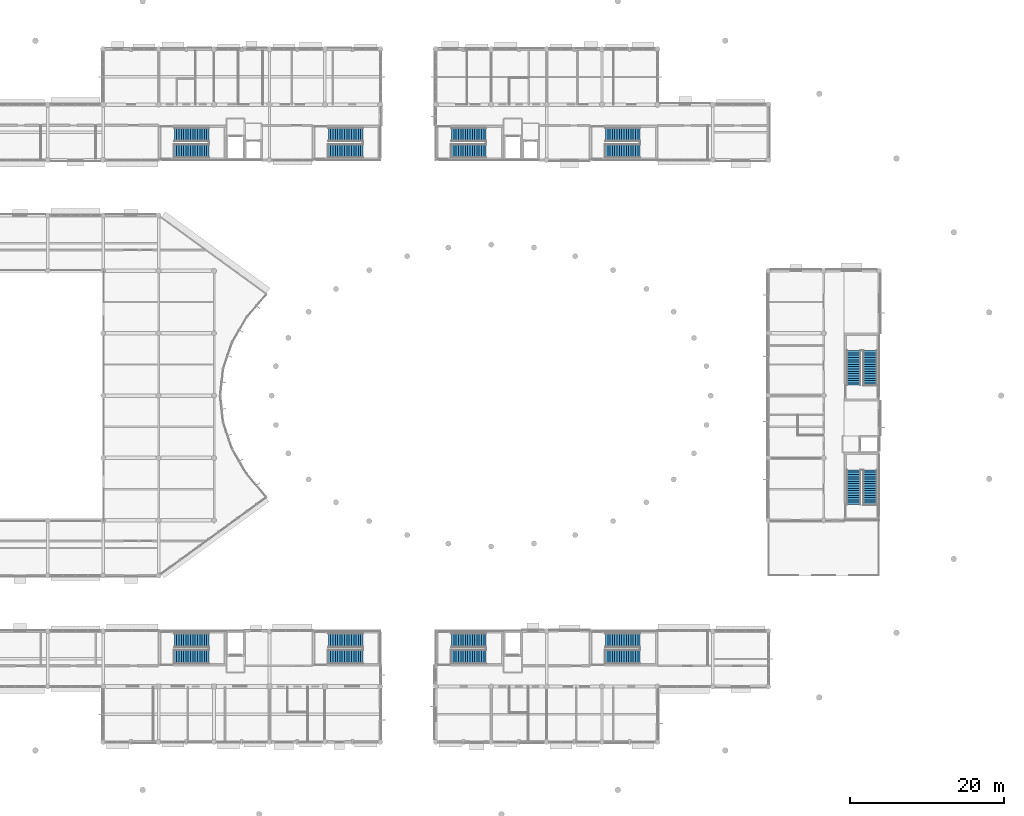
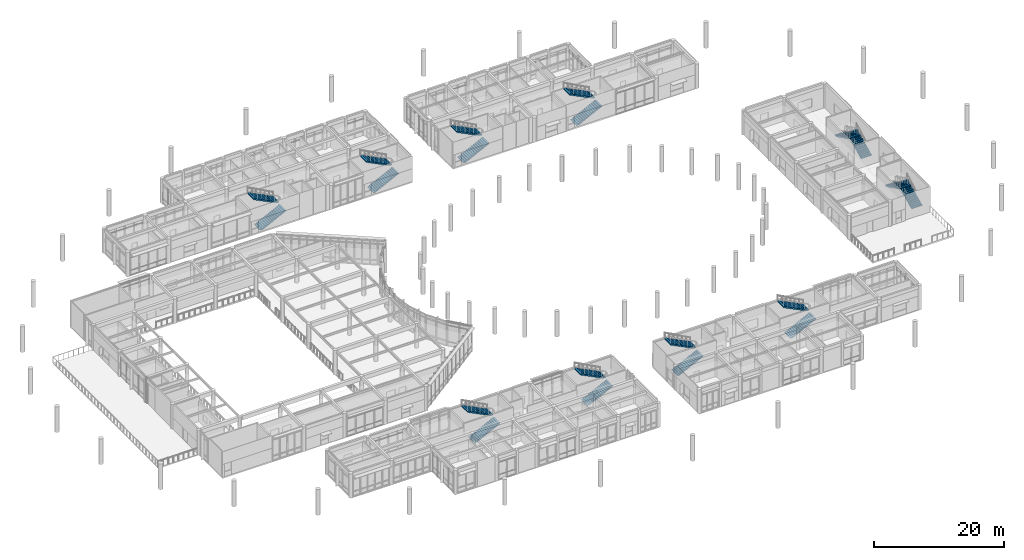
# One storey, part 55 of 92: 20 stair flights, 10 elements without a shape of their own.
"""IFC4 building model written with IfcOpenShell, lengths in metres."""

from ifc_helpers import new_model, si_unit, direction, frame, origin, place, context, subcontext, project, spatial, polyline, outline, extrude, material, type_object, element, aggregate, save


model = new_model("IFC4")

# Units and contexts
model_context = context("Model", 3, precision=1e-05, world=origin(), true_north=direction((0.0, 1.0)))
body_context = subcontext(model_context, "Body", "Model", "MODEL_VIEW")
ifc_project = project(units=[si_unit("LENGTHUNIT", "METRE"), si_unit("AREAUNIT", "SQUARE_METRE"), si_unit("VOLUMEUNIT", "CUBIC_METRE"), si_unit("PLANEANGLEUNIT", "RADIAN"), si_unit("MASSUNIT", "GRAM", prefix="KILO")], contexts=[model_context])

# Site, building, storey
site_placement = place(None, origin())
site = spatial("IfcSite", under=ifc_project, at=site_placement, CompositionType="ELEMENT")
building_placement = place(site_placement, origin())
building = spatial("IfcBuilding", under=site, at=building_placement, Name="Namkhue Oval Health Centre", CompositionType="ELEMENT")
storey_placement = place(building_placement, frame((0.0, 0.0, 4.800048828125)))
storey = spatial("IfcBuildingStorey", under=building, at=storey_placement, Name="L01", CompositionType="ELEMENT", Elevation=4.800048828125)

# Stair, stair flights
ifc_material = material(Name="Reinforced concrete C30/37 (TCVN B35)", Category="concrete")
stair_type = type_object("IfcStairType", Name="DOGLEG EXIT STAIR H4800", PredefinedType="HALF_TURN_STAIR", material=ifc_material)
stair_1_placement = place(storey_placement, origin())
stair_1 = element("IfcStair", 1, at=stair_1_placement, inside=storey, type_object=stair_type, Name="Protected Exit Stair ST-03 L01", PredefinedType="HALF_TURN_STAIR")
stair_flight_type = type_object("IfcStairFlightType", Name="STRAIGHT STAIR FLIGHT 1850", PredefinedType="STRAIGHT", material=ifc_material)
stair_flight_1_placement = place(storey_placement, frame((59.64990234375, 91.175048828125, 0.0), z_axis=(0.0, 0.0, 1.0), x_axis=(1.0, 0.0, 0.0)))
stair_flight_1 = element("IfcStairFlight", 2, at=stair_flight_1_placement, type_object=stair_flight_type, Name="ST-03 flight 1", NumberOfRisers=16, NumberOfTreads=15, PredefinedType="STRAIGHT", RiserHeight=0.15, TreadLength=0.3, context=body_context, shape_type="SweptSolid", body=[
    extrude(outline(polyline([(0.0, 0.0), (0.0, 0.14990234375), (0.300048828125, 0.14990234375), (0.300048828125, 0.300048828125), (0.60009765625, 0.300048828125), (0.60009765625, 0.449951171875), (0.89990234375, 0.449951171875), (0.89990234375, 0.60009765625), (1.199951171875, 0.60009765625), (1.199951171875, 0.75), (1.5, 0.75), (1.5, 0.89990234375), (1.800048828125, 0.89990234375), (1.800048828125, 1.050048828125), (2.10009765625, 1.050048828125), (2.10009765625, 1.199951171875), (2.39990234375, 1.199951171875), (2.39990234375, 1.35009765625), (2.699951171875, 1.35009765625), (2.699951171875, 1.5), (3.0, 1.5), (3.0, 1.64990234375), (3.300048828125, 1.64990234375), (3.300048828125, 1.800048828125), (3.60009765625, 1.800048828125), (3.60009765625, 1.949951171875), (3.89990234375, 1.949951171875), (3.89990234375, 2.10009765625), (4.199951171875, 2.10009765625), (4.199951171875, 2.25), (4.5, 2.25), (4.5, 2.39990234375), (4.5, 2.048828125), (0.40234375, 0.0), (0.0, 0.0)])), frame((0.0, 0.925048828125, 0.0), z_axis=(0.0, -1.0, 0.0), x_axis=(1.0, 0.0, 0.0)), (0.0, 0.0, 1.0), 1.85009765625),
])
stair_flight_2_placement = place(storey_placement, frame((64.14990234375, 93.324951171875, 2.39990234375), z_axis=(0.0, 0.0, 1.0), x_axis=(-1.0, 0.0, 0.0)))
stair_flight_2 = element("IfcStairFlight", 3, at=stair_flight_2_placement, type_object=stair_flight_type, Name="ST-03 flight 2", NumberOfRisers=16, NumberOfTreads=15, PredefinedType="STRAIGHT", RiserHeight=0.15, TreadLength=0.3, context=body_context, shape_type="SweptSolid", body=[
    extrude(outline(polyline([(0.0, 0.0), (0.0, 0.14990234375), (0.300048828125, 0.14990234375), (0.300048828125, 0.300048828125), (0.60009765625, 0.300048828125), (0.60009765625, 0.449951171875), (0.89990234375, 0.449951171875), (0.89990234375, 0.60009765625), (1.199951171875, 0.60009765625), (1.199951171875, 0.75), (1.5, 0.75), (1.5, 0.89990234375), (1.800048828125, 0.89990234375), (1.800048828125, 1.050048828125), (2.10009765625, 1.050048828125), (2.10009765625, 1.199951171875), (2.39990234375, 1.199951171875), (2.39990234375, 1.35009765625), (2.699951171875, 1.35009765625), (2.699951171875, 1.5), (3.0, 1.5), (3.0, 1.64990234375), (3.300048828125, 1.64990234375), (3.300048828125, 1.800048828125), (3.60009765625, 1.800048828125), (3.60009765625, 1.949951171875), (3.89990234375, 1.949951171875), (3.89990234375, 2.10009765625), (4.199951171875, 2.10009765625), (4.199951171875, 2.25), (4.5, 2.25), (4.5, 2.39990234375), (4.5, 2.048828125), (0.40234375, 0.0), (0.0, 0.0)])), frame((0.0, 0.925048828125, 0.0), z_axis=(0.0, -1.0, 0.0), x_axis=(1.0, 0.0, 0.0)), (0.0, 0.0, 1.0), 1.85009765625),
])
aggregate(stair_1, [stair_flight_1, stair_flight_2])

stair_2_placement = place(storey_placement, origin())
stair_2 = element("IfcStair", 4, at=stair_2_placement, inside=storey, type_object=stair_type, Name="Protected Exit Stair ST-04 L01", PredefinedType="HALF_TURN_STAIR")
stair_flight_3_placement = place(storey_placement, frame((79.64990234375, 91.175048828125, 0.0), z_axis=(0.0, 0.0, 1.0), x_axis=(1.0, 0.0, 0.0)))
stair_flight_3 = element("IfcStairFlight", 5, at=stair_flight_3_placement, type_object=stair_flight_type, Name="ST-04 flight 1", NumberOfRisers=16, NumberOfTreads=15, PredefinedType="STRAIGHT", RiserHeight=0.15, TreadLength=0.3, context=body_context, shape_type="SweptSolid", body=[
    extrude(outline(polyline([(0.0, 0.0), (0.0, 0.14990234375), (0.300048828125, 0.14990234375), (0.300048828125, 0.300048828125), (0.60009765625, 0.300048828125), (0.60009765625, 0.449951171875), (0.89990234375, 0.449951171875), (0.89990234375, 0.60009765625), (1.199951171875, 0.60009765625), (1.199951171875, 0.75), (1.5, 0.75), (1.5, 0.89990234375), (1.800048828125, 0.89990234375), (1.800048828125, 1.050048828125), (2.10009765625, 1.050048828125), (2.10009765625, 1.199951171875), (2.39990234375, 1.199951171875), (2.39990234375, 1.35009765625), (2.699951171875, 1.35009765625), (2.699951171875, 1.5), (3.0, 1.5), (3.0, 1.64990234375), (3.300048828125, 1.64990234375), (3.300048828125, 1.800048828125), (3.60009765625, 1.800048828125), (3.60009765625, 1.949951171875), (3.89990234375, 1.949951171875), (3.89990234375, 2.10009765625), (4.199951171875, 2.10009765625), (4.199951171875, 2.25), (4.5, 2.25), (4.5, 2.39990234375), (4.5, 2.048828125), (0.40234375, 0.0), (0.0, 0.0)])), frame((0.0, 0.925048828125, 0.0), z_axis=(0.0, -1.0, 0.0), x_axis=(1.0, 0.0, 0.0)), (0.0, 0.0, 1.0), 1.85009765625),
])
stair_flight_4_placement = place(storey_placement, frame((84.14990234375, 93.324951171875, 2.39990234375), z_axis=(0.0, 0.0, 1.0), x_axis=(-1.0, 0.0, 0.0)))
stair_flight_4 = element("IfcStairFlight", 6, at=stair_flight_4_placement, type_object=stair_flight_type, Name="ST-04 flight 2", NumberOfRisers=16, NumberOfTreads=15, PredefinedType="STRAIGHT", RiserHeight=0.15, TreadLength=0.3, context=body_context, shape_type="SweptSolid", body=[
    extrude(outline(polyline([(0.0, 0.0), (0.0, 0.14990234375), (0.300048828125, 0.14990234375), (0.300048828125, 0.300048828125), (0.60009765625, 0.300048828125), (0.60009765625, 0.449951171875), (0.89990234375, 0.449951171875), (0.89990234375, 0.60009765625), (1.199951171875, 0.60009765625), (1.199951171875, 0.75), (1.5, 0.75), (1.5, 0.89990234375), (1.800048828125, 0.89990234375), (1.800048828125, 1.050048828125), (2.10009765625, 1.050048828125), (2.10009765625, 1.199951171875), (2.39990234375, 1.199951171875), (2.39990234375, 1.35009765625), (2.699951171875, 1.35009765625), (2.699951171875, 1.5), (3.0, 1.5), (3.0, 1.64990234375), (3.300048828125, 1.64990234375), (3.300048828125, 1.800048828125), (3.60009765625, 1.800048828125), (3.60009765625, 1.949951171875), (3.89990234375, 1.949951171875), (3.89990234375, 2.10009765625), (4.199951171875, 2.10009765625), (4.199951171875, 2.25), (4.5, 2.25), (4.5, 2.39990234375), (4.5, 2.048828125), (0.40234375, 0.0), (0.0, 0.0)])), frame((0.0, 0.925048828125, 0.0), z_axis=(0.0, -1.0, 0.0), x_axis=(1.0, 0.0, 0.0)), (0.0, 0.0, 1.0), 1.85009765625),
])
aggregate(stair_2, [stair_flight_3, stair_flight_4])

stair_3_placement = place(storey_placement, origin())
stair_3 = element("IfcStair", 7, at=stair_3_placement, inside=storey, type_object=stair_type, Name="Protected Exit Stair ST-05 L01", PredefinedType="HALF_TURN_STAIR")
stair_flight_5_placement = place(storey_placement, frame((95.64990234375, 91.175048828125, 0.0), z_axis=(0.0, 0.0, 1.0), x_axis=(1.0, 0.0, 0.0)))
stair_flight_5 = element("IfcStairFlight", 8, at=stair_flight_5_placement, type_object=stair_flight_type, Name="ST-05 flight 1", NumberOfRisers=16, NumberOfTreads=15, PredefinedType="STRAIGHT", RiserHeight=0.15, TreadLength=0.3, context=body_context, shape_type="SweptSolid", body=[
    extrude(outline(polyline([(0.0, 0.0), (0.0, 0.14990234375), (0.300048828125, 0.14990234375), (0.300048828125, 0.300048828125), (0.60009765625, 0.300048828125), (0.60009765625, 0.449951171875), (0.89990234375, 0.449951171875), (0.89990234375, 0.60009765625), (1.199951171875, 0.60009765625), (1.199951171875, 0.75), (1.5, 0.75), (1.5, 0.89990234375), (1.800048828125, 0.89990234375), (1.800048828125, 1.050048828125), (2.10009765625, 1.050048828125), (2.10009765625, 1.199951171875), (2.39990234375, 1.199951171875), (2.39990234375, 1.35009765625), (2.699951171875, 1.35009765625), (2.699951171875, 1.5), (3.0, 1.5), (3.0, 1.64990234375), (3.300048828125, 1.64990234375), (3.300048828125, 1.800048828125), (3.60009765625, 1.800048828125), (3.60009765625, 1.949951171875), (3.89990234375, 1.949951171875), (3.89990234375, 2.10009765625), (4.199951171875, 2.10009765625), (4.199951171875, 2.25), (4.5, 2.25), (4.5, 2.39990234375), (4.5, 2.048828125), (0.40234375, 0.0), (0.0, 0.0)])), frame((0.0, 0.925048828125, 0.0), z_axis=(0.0, -1.0, 0.0), x_axis=(1.0, 0.0, 0.0)), (0.0, 0.0, 1.0), 1.85009765625),
])
stair_flight_6_placement = place(storey_placement, frame((100.14990234375, 93.324951171875, 2.39990234375), z_axis=(0.0, 0.0, 1.0), x_axis=(-1.0, 0.0, 0.0)))
stair_flight_6 = element("IfcStairFlight", 9, at=stair_flight_6_placement, type_object=stair_flight_type, Name="ST-05 flight 2", NumberOfRisers=16, NumberOfTreads=15, PredefinedType="STRAIGHT", RiserHeight=0.15, TreadLength=0.3, context=body_context, shape_type="SweptSolid", body=[
    extrude(outline(polyline([(0.0, 0.0), (0.0, 0.14990234375), (0.300048828125, 0.14990234375), (0.300048828125, 0.300048828125), (0.60009765625, 0.300048828125), (0.60009765625, 0.449951171875), (0.89990234375, 0.449951171875), (0.89990234375, 0.60009765625), (1.199951171875, 0.60009765625), (1.199951171875, 0.75), (1.5, 0.75), (1.5, 0.89990234375), (1.800048828125, 0.89990234375), (1.800048828125, 1.050048828125), (2.10009765625, 1.050048828125), (2.10009765625, 1.199951171875), (2.39990234375, 1.199951171875), (2.39990234375, 1.35009765625), (2.699951171875, 1.35009765625), (2.699951171875, 1.5), (3.0, 1.5), (3.0, 1.64990234375), (3.300048828125, 1.64990234375), (3.300048828125, 1.800048828125), (3.60009765625, 1.800048828125), (3.60009765625, 1.949951171875), (3.89990234375, 1.949951171875), (3.89990234375, 2.10009765625), (4.199951171875, 2.10009765625), (4.199951171875, 2.25), (4.5, 2.25), (4.5, 2.39990234375), (4.5, 2.048828125), (0.40234375, 0.0), (0.0, 0.0)])), frame((0.0, 0.925048828125, 0.0), z_axis=(0.0, -1.0, 0.0), x_axis=(1.0, 0.0, 0.0)), (0.0, 0.0, 1.0), 1.85009765625),
])
aggregate(stair_3, [stair_flight_5, stair_flight_6])

stair_4_placement = place(storey_placement, origin())
stair_4 = element("IfcStair", 10, at=stair_4_placement, inside=storey, type_object=stair_type, Name="Protected Exit Stair ST-06 L01", PredefinedType="HALF_TURN_STAIR")
stair_flight_7_placement = place(storey_placement, frame((115.64990234375, 91.175048828125, 0.0), z_axis=(0.0, 0.0, 1.0), x_axis=(1.0, 0.0, 0.0)))
stair_flight_7 = element("IfcStairFlight", 11, at=stair_flight_7_placement, type_object=stair_flight_type, Name="ST-06 flight 1", NumberOfRisers=16, NumberOfTreads=15, PredefinedType="STRAIGHT", RiserHeight=0.15, TreadLength=0.3, context=body_context, shape_type="SweptSolid", body=[
    extrude(outline(polyline([(0.0, 0.0), (0.0, 0.14990234375), (0.300048828125, 0.14990234375), (0.300048828125, 0.300048828125), (0.60009765625, 0.300048828125), (0.60009765625, 0.449951171875), (0.89990234375, 0.449951171875), (0.89990234375, 0.60009765625), (1.199951171875, 0.60009765625), (1.199951171875, 0.75), (1.5, 0.75), (1.5, 0.89990234375), (1.800048828125, 0.89990234375), (1.800048828125, 1.050048828125), (2.10009765625, 1.050048828125), (2.10009765625, 1.199951171875), (2.39990234375, 1.199951171875), (2.39990234375, 1.35009765625), (2.699951171875, 1.35009765625), (2.699951171875, 1.5), (3.0, 1.5), (3.0, 1.64990234375), (3.300048828125, 1.64990234375), (3.300048828125, 1.800048828125), (3.60009765625, 1.800048828125), (3.60009765625, 1.949951171875), (3.89990234375, 1.949951171875), (3.89990234375, 2.10009765625), (4.199951171875, 2.10009765625), (4.199951171875, 2.25), (4.5, 2.25), (4.5, 2.39990234375), (4.5, 2.048828125), (0.40234375, 0.0), (0.0, 0.0)])), frame((0.0, 0.925048828125, 0.0), z_axis=(0.0, -1.0, 0.0), x_axis=(1.0, 0.0, 0.0)), (0.0, 0.0, 1.0), 1.85009765625),
])
stair_flight_8_placement = place(storey_placement, frame((120.14990234375, 93.324951171875, 2.39990234375), z_axis=(0.0, 0.0, 1.0), x_axis=(-1.0, 0.0, 0.0)))
stair_flight_8 = element("IfcStairFlight", 12, at=stair_flight_8_placement, type_object=stair_flight_type, Name="ST-06 flight 2", NumberOfRisers=16, NumberOfTreads=15, PredefinedType="STRAIGHT", RiserHeight=0.15, TreadLength=0.3, context=body_context, shape_type="SweptSolid", body=[
    extrude(outline(polyline([(0.0, 0.0), (0.0, 0.14990234375), (0.300048828125, 0.14990234375), (0.300048828125, 0.300048828125), (0.60009765625, 0.300048828125), (0.60009765625, 0.449951171875), (0.89990234375, 0.449951171875), (0.89990234375, 0.60009765625), (1.199951171875, 0.60009765625), (1.199951171875, 0.75), (1.5, 0.75), (1.5, 0.89990234375), (1.800048828125, 0.89990234375), (1.800048828125, 1.050048828125), (2.10009765625, 1.050048828125), (2.10009765625, 1.199951171875), (2.39990234375, 1.199951171875), (2.39990234375, 1.35009765625), (2.699951171875, 1.35009765625), (2.699951171875, 1.5), (3.0, 1.5), (3.0, 1.64990234375), (3.300048828125, 1.64990234375), (3.300048828125, 1.800048828125), (3.60009765625, 1.800048828125), (3.60009765625, 1.949951171875), (3.89990234375, 1.949951171875), (3.89990234375, 2.10009765625), (4.199951171875, 2.10009765625), (4.199951171875, 2.25), (4.5, 2.25), (4.5, 2.39990234375), (4.5, 2.048828125), (0.40234375, 0.0), (0.0, 0.0)])), frame((0.0, 0.925048828125, 0.0), z_axis=(0.0, -1.0, 0.0), x_axis=(1.0, 0.0, 0.0)), (0.0, 0.0, 1.0), 1.85009765625),
])
aggregate(stair_4, [stair_flight_7, stair_flight_8])

stair_5_placement = place(storey_placement, origin())
stair_5 = element("IfcStair", 13, at=stair_5_placement, inside=storey, type_object=stair_type, Name="Protected Exit Stair ST-07 L01", PredefinedType="HALF_TURN_STAIR")
stair_flight_9_placement = place(storey_placement, frame((59.64990234375, 25.47509765625, 0.0), z_axis=(0.0, 0.0, 1.0), x_axis=(1.0, 0.0, 0.0)))
stair_flight_9 = element("IfcStairFlight", 14, at=stair_flight_9_placement, type_object=stair_flight_type, Name="ST-07 flight 1", NumberOfRisers=16, NumberOfTreads=15, PredefinedType="STRAIGHT", RiserHeight=0.15, TreadLength=0.3, context=body_context, shape_type="SweptSolid", body=[
    extrude(outline(polyline([(0.0, 0.0), (0.0, 0.14990234375), (0.300048828125, 0.14990234375), (0.300048828125, 0.300048828125), (0.60009765625, 0.300048828125), (0.60009765625, 0.449951171875), (0.89990234375, 0.449951171875), (0.89990234375, 0.60009765625), (1.199951171875, 0.60009765625), (1.199951171875, 0.75), (1.5, 0.75), (1.5, 0.89990234375), (1.800048828125, 0.89990234375), (1.800048828125, 1.050048828125), (2.10009765625, 1.050048828125), (2.10009765625, 1.199951171875), (2.39990234375, 1.199951171875), (2.39990234375, 1.35009765625), (2.699951171875, 1.35009765625), (2.699951171875, 1.5), (3.0, 1.5), (3.0, 1.64990234375), (3.300048828125, 1.64990234375), (3.300048828125, 1.800048828125), (3.60009765625, 1.800048828125), (3.60009765625, 1.949951171875), (3.89990234375, 1.949951171875), (3.89990234375, 2.10009765625), (4.199951171875, 2.10009765625), (4.199951171875, 2.25), (4.5, 2.25), (4.5, 2.39990234375), (4.5, 2.048828125), (0.40234375, 0.0), (0.0, 0.0)])), frame((0.0, 0.925048828125, 0.0), z_axis=(0.0, -1.0, 0.0), x_axis=(1.0, 0.0, 0.0)), (0.0, 0.0, 1.0), 1.85009765625),
])
stair_flight_10_placement = place(storey_placement, frame((64.14990234375, 27.625, 2.39990234375), z_axis=(0.0, 0.0, 1.0), x_axis=(-1.0, 0.0, 0.0)))
stair_flight_10 = element("IfcStairFlight", 15, at=stair_flight_10_placement, type_object=stair_flight_type, Name="ST-07 flight 2", NumberOfRisers=16, NumberOfTreads=15, PredefinedType="STRAIGHT", RiserHeight=0.15, TreadLength=0.3, context=body_context, shape_type="SweptSolid", body=[
    extrude(outline(polyline([(0.0, 0.0), (0.0, 0.14990234375), (0.300048828125, 0.14990234375), (0.300048828125, 0.300048828125), (0.60009765625, 0.300048828125), (0.60009765625, 0.449951171875), (0.89990234375, 0.449951171875), (0.89990234375, 0.60009765625), (1.199951171875, 0.60009765625), (1.199951171875, 0.75), (1.5, 0.75), (1.5, 0.89990234375), (1.800048828125, 0.89990234375), (1.800048828125, 1.050048828125), (2.10009765625, 1.050048828125), (2.10009765625, 1.199951171875), (2.39990234375, 1.199951171875), (2.39990234375, 1.35009765625), (2.699951171875, 1.35009765625), (2.699951171875, 1.5), (3.0, 1.5), (3.0, 1.64990234375), (3.300048828125, 1.64990234375), (3.300048828125, 1.800048828125), (3.60009765625, 1.800048828125), (3.60009765625, 1.949951171875), (3.89990234375, 1.949951171875), (3.89990234375, 2.10009765625), (4.199951171875, 2.10009765625), (4.199951171875, 2.25), (4.5, 2.25), (4.5, 2.39990234375), (4.5, 2.048828125), (0.40234375, 0.0), (0.0, 0.0)])), frame((0.0, 0.925048828125, 0.0), z_axis=(0.0, -1.0, 0.0), x_axis=(1.0, 0.0, 0.0)), (0.0, 0.0, 1.0), 1.85009765625),
])
aggregate(stair_5, [stair_flight_9, stair_flight_10])

stair_6_placement = place(storey_placement, origin())
stair_6 = element("IfcStair", 16, at=stair_6_placement, inside=storey, type_object=stair_type, Name="Protected Exit Stair ST-08 L01", PredefinedType="HALF_TURN_STAIR")
stair_flight_11_placement = place(storey_placement, frame((79.64990234375, 25.47509765625, 0.0), z_axis=(0.0, 0.0, 1.0), x_axis=(1.0, 0.0, 0.0)))
stair_flight_11 = element("IfcStairFlight", 17, at=stair_flight_11_placement, type_object=stair_flight_type, Name="ST-08 flight 1", NumberOfRisers=16, NumberOfTreads=15, PredefinedType="STRAIGHT", RiserHeight=0.15, TreadLength=0.3, context=body_context, shape_type="SweptSolid", body=[
    extrude(outline(polyline([(0.0, 0.0), (0.0, 0.14990234375), (0.300048828125, 0.14990234375), (0.300048828125, 0.300048828125), (0.60009765625, 0.300048828125), (0.60009765625, 0.449951171875), (0.89990234375, 0.449951171875), (0.89990234375, 0.60009765625), (1.199951171875, 0.60009765625), (1.199951171875, 0.75), (1.5, 0.75), (1.5, 0.89990234375), (1.800048828125, 0.89990234375), (1.800048828125, 1.050048828125), (2.10009765625, 1.050048828125), (2.10009765625, 1.199951171875), (2.39990234375, 1.199951171875), (2.39990234375, 1.35009765625), (2.699951171875, 1.35009765625), (2.699951171875, 1.5), (3.0, 1.5), (3.0, 1.64990234375), (3.300048828125, 1.64990234375), (3.300048828125, 1.800048828125), (3.60009765625, 1.800048828125), (3.60009765625, 1.949951171875), (3.89990234375, 1.949951171875), (3.89990234375, 2.10009765625), (4.199951171875, 2.10009765625), (4.199951171875, 2.25), (4.5, 2.25), (4.5, 2.39990234375), (4.5, 2.048828125), (0.40234375, 0.0), (0.0, 0.0)])), frame((0.0, 0.925048828125, 0.0), z_axis=(0.0, -1.0, 0.0), x_axis=(1.0, 0.0, 0.0)), (0.0, 0.0, 1.0), 1.85009765625),
])
stair_flight_12_placement = place(storey_placement, frame((84.14990234375, 27.625, 2.39990234375), z_axis=(0.0, 0.0, 1.0), x_axis=(-1.0, 0.0, 0.0)))
stair_flight_12 = element("IfcStairFlight", 18, at=stair_flight_12_placement, type_object=stair_flight_type, Name="ST-08 flight 2", NumberOfRisers=16, NumberOfTreads=15, PredefinedType="STRAIGHT", RiserHeight=0.15, TreadLength=0.3, context=body_context, shape_type="SweptSolid", body=[
    extrude(outline(polyline([(0.0, 0.0), (0.0, 0.14990234375), (0.300048828125, 0.14990234375), (0.300048828125, 0.300048828125), (0.60009765625, 0.300048828125), (0.60009765625, 0.449951171875), (0.89990234375, 0.449951171875), (0.89990234375, 0.60009765625), (1.199951171875, 0.60009765625), (1.199951171875, 0.75), (1.5, 0.75), (1.5, 0.89990234375), (1.800048828125, 0.89990234375), (1.800048828125, 1.050048828125), (2.10009765625, 1.050048828125), (2.10009765625, 1.199951171875), (2.39990234375, 1.199951171875), (2.39990234375, 1.35009765625), (2.699951171875, 1.35009765625), (2.699951171875, 1.5), (3.0, 1.5), (3.0, 1.64990234375), (3.300048828125, 1.64990234375), (3.300048828125, 1.800048828125), (3.60009765625, 1.800048828125), (3.60009765625, 1.949951171875), (3.89990234375, 1.949951171875), (3.89990234375, 2.10009765625), (4.199951171875, 2.10009765625), (4.199951171875, 2.25), (4.5, 2.25), (4.5, 2.39990234375), (4.5, 2.048828125), (0.40234375, 0.0), (0.0, 0.0)])), frame((0.0, 0.925048828125, 0.0), z_axis=(0.0, -1.0, 0.0), x_axis=(1.0, 0.0, 0.0)), (0.0, 0.0, 1.0), 1.85009765625),
])
aggregate(stair_6, [stair_flight_11, stair_flight_12])

stair_7_placement = place(storey_placement, origin())
stair_7 = element("IfcStair", 19, at=stair_7_placement, inside=storey, type_object=stair_type, Name="Protected Exit Stair ST-09 L01", PredefinedType="HALF_TURN_STAIR")
stair_flight_13_placement = place(storey_placement, frame((95.64990234375, 25.47509765625, 0.0), z_axis=(0.0, 0.0, 1.0), x_axis=(1.0, 0.0, 0.0)))
stair_flight_13 = element("IfcStairFlight", 20, at=stair_flight_13_placement, type_object=stair_flight_type, Name="ST-09 flight 1", NumberOfRisers=16, NumberOfTreads=15, PredefinedType="STRAIGHT", RiserHeight=0.15, TreadLength=0.3, context=body_context, shape_type="SweptSolid", body=[
    extrude(outline(polyline([(0.0, 0.0), (0.0, 0.14990234375), (0.300048828125, 0.14990234375), (0.300048828125, 0.300048828125), (0.60009765625, 0.300048828125), (0.60009765625, 0.449951171875), (0.89990234375, 0.449951171875), (0.89990234375, 0.60009765625), (1.199951171875, 0.60009765625), (1.199951171875, 0.75), (1.5, 0.75), (1.5, 0.89990234375), (1.800048828125, 0.89990234375), (1.800048828125, 1.050048828125), (2.10009765625, 1.050048828125), (2.10009765625, 1.199951171875), (2.39990234375, 1.199951171875), (2.39990234375, 1.35009765625), (2.699951171875, 1.35009765625), (2.699951171875, 1.5), (3.0, 1.5), (3.0, 1.64990234375), (3.300048828125, 1.64990234375), (3.300048828125, 1.800048828125), (3.60009765625, 1.800048828125), (3.60009765625, 1.949951171875), (3.89990234375, 1.949951171875), (3.89990234375, 2.10009765625), (4.199951171875, 2.10009765625), (4.199951171875, 2.25), (4.5, 2.25), (4.5, 2.39990234375), (4.5, 2.048828125), (0.40234375, 0.0), (0.0, 0.0)])), frame((0.0, 0.925048828125, 0.0), z_axis=(0.0, -1.0, 0.0), x_axis=(1.0, 0.0, 0.0)), (0.0, 0.0, 1.0), 1.85009765625),
])
stair_flight_14_placement = place(storey_placement, frame((100.14990234375, 27.625, 2.39990234375), z_axis=(0.0, 0.0, 1.0), x_axis=(-1.0, 0.0, 0.0)))
stair_flight_14 = element("IfcStairFlight", 21, at=stair_flight_14_placement, type_object=stair_flight_type, Name="ST-09 flight 2", NumberOfRisers=16, NumberOfTreads=15, PredefinedType="STRAIGHT", RiserHeight=0.15, TreadLength=0.3, context=body_context, shape_type="SweptSolid", body=[
    extrude(outline(polyline([(0.0, 0.0), (0.0, 0.14990234375), (0.300048828125, 0.14990234375), (0.300048828125, 0.300048828125), (0.60009765625, 0.300048828125), (0.60009765625, 0.449951171875), (0.89990234375, 0.449951171875), (0.89990234375, 0.60009765625), (1.199951171875, 0.60009765625), (1.199951171875, 0.75), (1.5, 0.75), (1.5, 0.89990234375), (1.800048828125, 0.89990234375), (1.800048828125, 1.050048828125), (2.10009765625, 1.050048828125), (2.10009765625, 1.199951171875), (2.39990234375, 1.199951171875), (2.39990234375, 1.35009765625), (2.699951171875, 1.35009765625), (2.699951171875, 1.5), (3.0, 1.5), (3.0, 1.64990234375), (3.300048828125, 1.64990234375), (3.300048828125, 1.800048828125), (3.60009765625, 1.800048828125), (3.60009765625, 1.949951171875), (3.89990234375, 1.949951171875), (3.89990234375, 2.10009765625), (4.199951171875, 2.10009765625), (4.199951171875, 2.25), (4.5, 2.25), (4.5, 2.39990234375), (4.5, 2.048828125), (0.40234375, 0.0), (0.0, 0.0)])), frame((0.0, 0.925048828125, 0.0), z_axis=(0.0, -1.0, 0.0), x_axis=(1.0, 0.0, 0.0)), (0.0, 0.0, 1.0), 1.85009765625),
])
aggregate(stair_7, [stair_flight_13, stair_flight_14])

stair_8_placement = place(storey_placement, origin())
stair_8 = element("IfcStair", 22, at=stair_8_placement, inside=storey, type_object=stair_type, Name="Protected Exit Stair ST-10 L01", PredefinedType="HALF_TURN_STAIR")
stair_flight_15_placement = place(storey_placement, frame((115.64990234375, 25.47509765625, 0.0), z_axis=(0.0, 0.0, 1.0), x_axis=(1.0, 0.0, 0.0)))
stair_flight_15 = element("IfcStairFlight", 23, at=stair_flight_15_placement, type_object=stair_flight_type, Name="ST-10 flight 1", NumberOfRisers=16, NumberOfTreads=15, PredefinedType="STRAIGHT", RiserHeight=0.15, TreadLength=0.3, context=body_context, shape_type="SweptSolid", body=[
    extrude(outline(polyline([(0.0, 0.0), (0.0, 0.14990234375), (0.300048828125, 0.14990234375), (0.300048828125, 0.300048828125), (0.60009765625, 0.300048828125), (0.60009765625, 0.449951171875), (0.89990234375, 0.449951171875), (0.89990234375, 0.60009765625), (1.199951171875, 0.60009765625), (1.199951171875, 0.75), (1.5, 0.75), (1.5, 0.89990234375), (1.800048828125, 0.89990234375), (1.800048828125, 1.050048828125), (2.10009765625, 1.050048828125), (2.10009765625, 1.199951171875), (2.39990234375, 1.199951171875), (2.39990234375, 1.35009765625), (2.699951171875, 1.35009765625), (2.699951171875, 1.5), (3.0, 1.5), (3.0, 1.64990234375), (3.300048828125, 1.64990234375), (3.300048828125, 1.800048828125), (3.60009765625, 1.800048828125), (3.60009765625, 1.949951171875), (3.89990234375, 1.949951171875), (3.89990234375, 2.10009765625), (4.199951171875, 2.10009765625), (4.199951171875, 2.25), (4.5, 2.25), (4.5, 2.39990234375), (4.5, 2.048828125), (0.40234375, 0.0), (0.0, 0.0)])), frame((0.0, 0.925048828125, 0.0), z_axis=(0.0, -1.0, 0.0), x_axis=(1.0, 0.0, 0.0)), (0.0, 0.0, 1.0), 1.85009765625),
])
stair_flight_16_placement = place(storey_placement, frame((120.14990234375, 27.625, 2.39990234375), z_axis=(0.0, 0.0, 1.0), x_axis=(-1.0, 0.0, 0.0)))
stair_flight_16 = element("IfcStairFlight", 24, at=stair_flight_16_placement, type_object=stair_flight_type, Name="ST-10 flight 2", NumberOfRisers=16, NumberOfTreads=15, PredefinedType="STRAIGHT", RiserHeight=0.15, TreadLength=0.3, context=body_context, shape_type="SweptSolid", body=[
    extrude(outline(polyline([(0.0, 0.0), (0.0, 0.14990234375), (0.300048828125, 0.14990234375), (0.300048828125, 0.300048828125), (0.60009765625, 0.300048828125), (0.60009765625, 0.449951171875), (0.89990234375, 0.449951171875), (0.89990234375, 0.60009765625), (1.199951171875, 0.60009765625), (1.199951171875, 0.75), (1.5, 0.75), (1.5, 0.89990234375), (1.800048828125, 0.89990234375), (1.800048828125, 1.050048828125), (2.10009765625, 1.050048828125), (2.10009765625, 1.199951171875), (2.39990234375, 1.199951171875), (2.39990234375, 1.35009765625), (2.699951171875, 1.35009765625), (2.699951171875, 1.5), (3.0, 1.5), (3.0, 1.64990234375), (3.300048828125, 1.64990234375), (3.300048828125, 1.800048828125), (3.60009765625, 1.800048828125), (3.60009765625, 1.949951171875), (3.89990234375, 1.949951171875), (3.89990234375, 2.10009765625), (4.199951171875, 2.10009765625), (4.199951171875, 2.25), (4.5, 2.25), (4.5, 2.39990234375), (4.5, 2.048828125), (0.40234375, 0.0), (0.0, 0.0)])), frame((0.0, 0.925048828125, 0.0), z_axis=(0.0, -1.0, 0.0), x_axis=(1.0, 0.0, 0.0)), (0.0, 0.0, 1.0), 1.85009765625),
])
aggregate(stair_8, [stair_flight_15, stair_flight_16])

stair_9_placement = place(storey_placement, origin())
stair_9 = element("IfcStair", 25, at=stair_9_placement, inside=storey, type_object=stair_type, Name="Protected Exit Stair ST-11 L01", PredefinedType="HALF_TURN_STAIR")
stair_flight_17_placement = place(storey_placement, frame((150.02490234375, 45.25, 0.0), z_axis=(0.0, 0.0, 1.0), x_axis=(0.0, 1.0, 0.0)))
stair_flight_17 = element("IfcStairFlight", 26, at=stair_flight_17_placement, type_object=stair_flight_type, Name="ST-11 flight 1", NumberOfRisers=16, NumberOfTreads=15, PredefinedType="STRAIGHT", RiserHeight=0.15, TreadLength=0.3, context=body_context, shape_type="SweptSolid", body=[
    extrude(outline(polyline([(0.0, 0.0), (0.0, 0.14990234375), (0.300048828125, 0.14990234375), (0.300048828125, 0.300048828125), (0.60009765625, 0.300048828125), (0.60009765625, 0.449951171875), (0.89990234375, 0.449951171875), (0.89990234375, 0.60009765625), (1.199951171875, 0.60009765625), (1.199951171875, 0.75), (1.5, 0.75), (1.5, 0.89990234375), (1.800048828125, 0.89990234375), (1.800048828125, 1.050048828125), (2.10009765625, 1.050048828125), (2.10009765625, 1.199951171875), (2.39990234375, 1.199951171875), (2.39990234375, 1.35009765625), (2.699951171875, 1.35009765625), (2.699951171875, 1.5), (3.0, 1.5), (3.0, 1.64990234375), (3.300048828125, 1.64990234375), (3.300048828125, 1.800048828125), (3.60009765625, 1.800048828125), (3.60009765625, 1.949951171875), (3.89990234375, 1.949951171875), (3.89990234375, 2.10009765625), (4.199951171875, 2.10009765625), (4.199951171875, 2.25), (4.5, 2.25), (4.5, 2.39990234375), (4.5, 2.048828125), (0.40234375, 0.0), (0.0, 0.0)])), frame((0.0, 0.925048828125, 0.0), z_axis=(0.0, -1.0, 0.0), x_axis=(1.0, 0.0, 0.0)), (0.0, 0.0, 1.0), 1.85009765625),
])
stair_flight_18_placement = place(storey_placement, frame((147.875, 49.75, 2.39990234375), z_axis=(0.0, 0.0, 1.0), x_axis=(0.0, -1.0, 0.0)))
stair_flight_18 = element("IfcStairFlight", 27, at=stair_flight_18_placement, type_object=stair_flight_type, Name="ST-11 flight 2", NumberOfRisers=16, NumberOfTreads=15, PredefinedType="STRAIGHT", RiserHeight=0.15, TreadLength=0.3, context=body_context, shape_type="SweptSolid", body=[
    extrude(outline(polyline([(0.0, 0.0), (0.0, 0.14990234375), (0.300048828125, 0.14990234375), (0.300048828125, 0.300048828125), (0.60009765625, 0.300048828125), (0.60009765625, 0.449951171875), (0.89990234375, 0.449951171875), (0.89990234375, 0.60009765625), (1.199951171875, 0.60009765625), (1.199951171875, 0.75), (1.5, 0.75), (1.5, 0.89990234375), (1.800048828125, 0.89990234375), (1.800048828125, 1.050048828125), (2.10009765625, 1.050048828125), (2.10009765625, 1.199951171875), (2.39990234375, 1.199951171875), (2.39990234375, 1.35009765625), (2.699951171875, 1.35009765625), (2.699951171875, 1.5), (3.0, 1.5), (3.0, 1.64990234375), (3.300048828125, 1.64990234375), (3.300048828125, 1.800048828125), (3.60009765625, 1.800048828125), (3.60009765625, 1.949951171875), (3.89990234375, 1.949951171875), (3.89990234375, 2.10009765625), (4.199951171875, 2.10009765625), (4.199951171875, 2.25), (4.5, 2.25), (4.5, 2.39990234375), (4.5, 2.048828125), (0.40234375, 0.0), (0.0, 0.0)])), frame((0.0, 0.925048828125, 0.0), z_axis=(0.0, -1.0, 0.0), x_axis=(1.0, 0.0, 0.0)), (0.0, 0.0, 1.0), 1.85009765625),
])
aggregate(stair_9, [stair_flight_17, stair_flight_18])

stair_10_placement = place(storey_placement, origin())
stair_10 = element("IfcStair", 28, at=stair_10_placement, inside=storey, type_object=stair_type, Name="Protected Exit Stair ST-12 L01", PredefinedType="HALF_TURN_STAIR")
stair_flight_19_placement = place(storey_placement, frame((150.02490234375, 60.75, 0.0), z_axis=(0.0, 0.0, 1.0), x_axis=(0.0, 1.0, 0.0)))
stair_flight_19 = element("IfcStairFlight", 29, at=stair_flight_19_placement, type_object=stair_flight_type, Name="ST-12 flight 1", NumberOfRisers=16, NumberOfTreads=15, PredefinedType="STRAIGHT", RiserHeight=0.15, TreadLength=0.3, context=body_context, shape_type="SweptSolid", body=[
    extrude(outline(polyline([(0.0, 0.0), (0.0, 0.14990234375), (0.300048828125, 0.14990234375), (0.300048828125, 0.300048828125), (0.60009765625, 0.300048828125), (0.60009765625, 0.449951171875), (0.89990234375, 0.449951171875), (0.89990234375, 0.60009765625), (1.199951171875, 0.60009765625), (1.199951171875, 0.75), (1.5, 0.75), (1.5, 0.89990234375), (1.800048828125, 0.89990234375), (1.800048828125, 1.050048828125), (2.10009765625, 1.050048828125), (2.10009765625, 1.199951171875), (2.39990234375, 1.199951171875), (2.39990234375, 1.35009765625), (2.699951171875, 1.35009765625), (2.699951171875, 1.5), (3.0, 1.5), (3.0, 1.64990234375), (3.300048828125, 1.64990234375), (3.300048828125, 1.800048828125), (3.60009765625, 1.800048828125), (3.60009765625, 1.949951171875), (3.89990234375, 1.949951171875), (3.89990234375, 2.10009765625), (4.199951171875, 2.10009765625), (4.199951171875, 2.25), (4.5, 2.25), (4.5, 2.39990234375), (4.5, 2.048828125), (0.40234375, 0.0), (0.0, 0.0)])), frame((0.0, 0.925048828125, 0.0), z_axis=(0.0, -1.0, 0.0), x_axis=(1.0, 0.0, 0.0)), (0.0, 0.0, 1.0), 1.85009765625),
])
stair_flight_20_placement = place(storey_placement, frame((147.875, 65.25, 2.39990234375), z_axis=(0.0, 0.0, 1.0), x_axis=(0.0, -1.0, 0.0)))
stair_flight_20 = element("IfcStairFlight", 30, at=stair_flight_20_placement, type_object=stair_flight_type, Name="ST-12 flight 2", NumberOfRisers=16, NumberOfTreads=15, PredefinedType="STRAIGHT", RiserHeight=0.15, TreadLength=0.3, context=body_context, shape_type="SweptSolid", body=[
    extrude(outline(polyline([(0.0, 0.0), (0.0, 0.14990234375), (0.300048828125, 0.14990234375), (0.300048828125, 0.300048828125), (0.60009765625, 0.300048828125), (0.60009765625, 0.449951171875), (0.89990234375, 0.449951171875), (0.89990234375, 0.60009765625), (1.199951171875, 0.60009765625), (1.199951171875, 0.75), (1.5, 0.75), (1.5, 0.89990234375), (1.800048828125, 0.89990234375), (1.800048828125, 1.050048828125), (2.10009765625, 1.050048828125), (2.10009765625, 1.199951171875), (2.39990234375, 1.199951171875), (2.39990234375, 1.35009765625), (2.699951171875, 1.35009765625), (2.699951171875, 1.5), (3.0, 1.5), (3.0, 1.64990234375), (3.300048828125, 1.64990234375), (3.300048828125, 1.800048828125), (3.60009765625, 1.800048828125), (3.60009765625, 1.949951171875), (3.89990234375, 1.949951171875), (3.89990234375, 2.10009765625), (4.199951171875, 2.10009765625), (4.199951171875, 2.25), (4.5, 2.25), (4.5, 2.39990234375), (4.5, 2.048828125), (0.40234375, 0.0), (0.0, 0.0)])), frame((0.0, 0.925048828125, 0.0), z_axis=(0.0, -1.0, 0.0), x_axis=(1.0, 0.0, 0.0)), (0.0, 0.0, 1.0), 1.85009765625),
])
aggregate(stair_10, [stair_flight_19, stair_flight_20])

save(model, "model.ifc")
